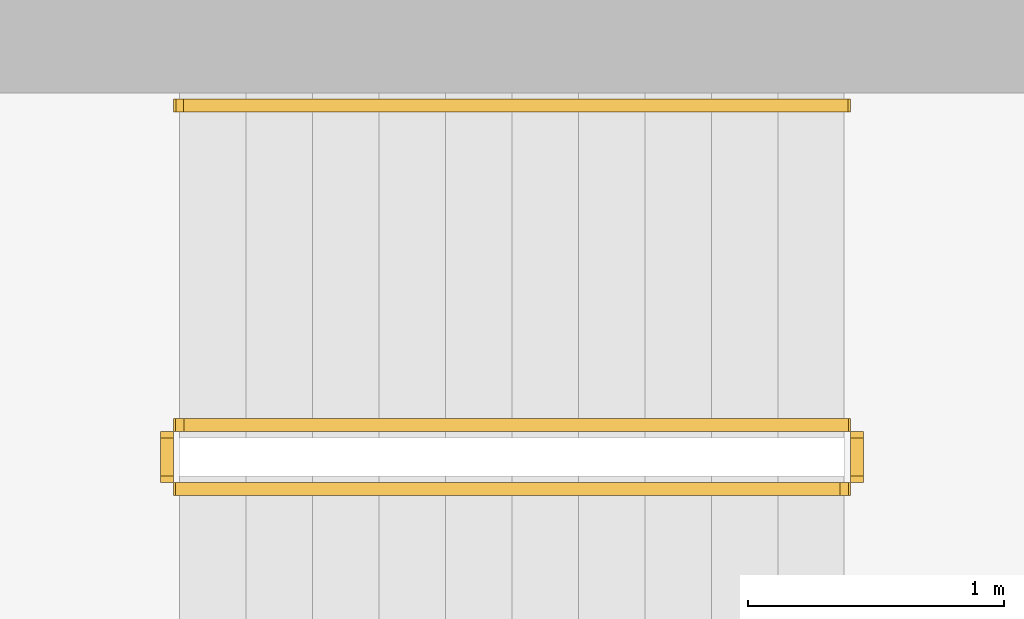
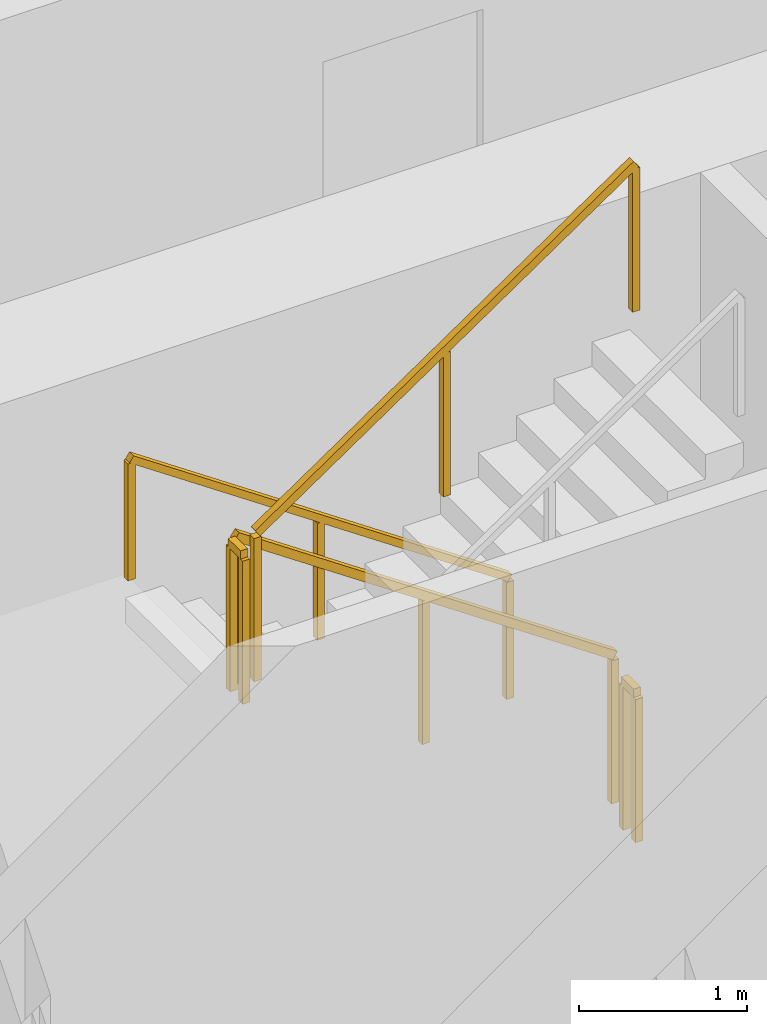
# One storey, part 14 of 15: 5 railings.
"""IFC4 building model written with IfcOpenShell, lengths in metres."""

from ifc_helpers import new_model, si_unit, direction, frame, origin, origin_2d, place, context, subcontext, project, spatial, rectangle, extrude, material, type_object, element, save


model = new_model("IFC4")

# Units and contexts
model_context = context("Model", 3, precision=1e-05, world=origin(), true_north=direction((0.0, 1.0)))
body_context = subcontext(model_context, "Body", "Model", "MODEL_VIEW")
ifc_project = project(units=[si_unit("LENGTHUNIT", "METRE"), si_unit("AREAUNIT", "SQUARE_METRE"), si_unit("VOLUMEUNIT", "CUBIC_METRE"), si_unit("PLANEANGLEUNIT", "RADIAN"), si_unit("MASSUNIT", "GRAM", prefix="KILO")], contexts=[model_context])

# Site, building, storey
site_placement = place(None, origin())
site = spatial("IfcSite", under=ifc_project, at=site_placement, CompositionType="ELEMENT")
building_placement = place(site_placement, origin())
building = spatial("IfcBuilding", under=site, at=building_placement, Name="Khepri Terraces", CompositionType="ELEMENT")
storey_placement = place(building_placement, frame((0.0, 0.0, 118.199951171875)))
storey = spatial("IfcBuildingStorey", under=building, at=storey_placement, Name="L28", CompositionType="ELEMENT", Elevation=118.199951171875)

# Railings
ifc_material = material(Name="Stainless steel 316", Category="steel")
railing_type_1 = type_object("IfcRailingType", Name="RL-CORE-GUARD", PredefinedType="GUARDRAIL", material=ifc_material)
railing_1_placement = place(storey_placement, frame((-0.25, 8.800048828125, 0.17724609375)))
element("IfcRailing", 1, at=railing_1_placement, inside=storey, type_object=railing_type_1, Name="L28 ST-3 stair guard 1", PredefinedType="GUARDRAIL", context=body_context, shape_type="SweptSolid", body=[
    extrude(rectangle(XDim=0.050048828125, YDim=0.06005859375, at=origin_2d()), frame((0.0, 0.0, 1.070068359375), z_axis=(-0.826240473404, 0.0, 0.563317565952), x_axis=(0.0, -1.0, 0.0)), (0.0, 0.0, 1.0), 3.14697265625),
    extrude(rectangle(XDim=0.050048828125, YDim=0.050048828125, at=origin_2d()), origin(), (0.0, 0.0, 1.0), 1.0400390625),
    extrude(rectangle(XDim=0.050048828125, YDim=0.050048828125, at=origin_2d()), frame((-1.300048828125, 0.0, 0.88623046875)), (0.0, 0.0, 1.0), 1.0400390625),
    extrude(rectangle(XDim=0.050048828125, YDim=0.050048828125, at=origin_2d()), frame((-2.60009765625, 0.0, 1.772705078125)), (0.0, 0.0, 1.0), 1.0400390625),
])
railing_2_placement = place(storey_placement, frame((-2.89990234375, 8.75, 1.949951171875)))
element("IfcRailing", 2, at=railing_2_placement, inside=storey, type_object=railing_type_1, Name="L28 ST-3 stair guard 2", PredefinedType="GUARDRAIL", context=body_context, shape_type="SweptSolid", body=[
    extrude(rectangle(XDim=0.050048828125, YDim=0.06005859375, at=origin_2d()), frame((0.0, 0.0, 1.070068359375), z_axis=(0.0, -1.0, 0.0), x_axis=(1.0, 0.0, 0.0)), (0.0, 0.0, 1.0), 0.14990234375),
    extrude(rectangle(XDim=0.050048828125, YDim=0.050048828125, at=origin_2d()), origin(), (0.0, 0.0, 1.0), 1.0400390625),
    extrude(rectangle(XDim=0.050048828125, YDim=0.050048828125, at=origin_2d()), frame((0.0, -0.14990234375, 0.0)), (0.0, 0.0, 1.0), 1.0400390625),
])
railing_3_placement = place(storey_placement, frame((-2.85009765625, 8.550048828125, 2.12744140625)))
element("IfcRailing", 3, at=railing_3_placement, inside=storey, type_object=railing_type_1, Name="L28 ST-3 stair guard 3", PredefinedType="GUARDRAIL", context=body_context, shape_type="SweptSolid", body=[
    extrude(rectangle(XDim=0.050048828125, YDim=0.06005859375, at=origin_2d()), frame((0.0, 0.0, 1.070068359375), z_axis=(0.826240473404, 0.0, 0.563317565952), x_axis=(0.0, 1.0, 0.0)), (0.0, 0.0, 1.0), 3.14697265625),
    extrude(rectangle(XDim=0.050048828125, YDim=0.050048828125, at=origin_2d()), origin(), (0.0, 0.0, 1.0), 1.0400390625),
    extrude(rectangle(XDim=0.050048828125, YDim=0.050048828125, at=origin_2d()), frame((1.300048828125, 0.0, 0.88623046875)), (0.0, 0.0, 1.0), 1.0400390625),
    extrude(rectangle(XDim=0.050048828125, YDim=0.050048828125, at=origin_2d()), frame((2.60009765625, 0.0, 1.772705078125)), (0.0, 0.0, 1.0), 1.0400390625),
])
railing_4_placement = place(storey_placement, frame((-0.199951171875, 8.75, 0.0)))
element("IfcRailing", 4, at=railing_4_placement, inside=storey, type_object=railing_type_1, Name="L28 ST-3 stair guard 4", PredefinedType="GUARDRAIL", context=body_context, shape_type="SweptSolid", body=[
    extrude(rectangle(XDim=0.050048828125, YDim=0.06005859375, at=origin_2d()), frame((0.0, 0.0, 1.070068359375), z_axis=(0.0, -1.0, 0.0), x_axis=(1.0, 0.0, 0.0)), (0.0, 0.0, 1.0), 0.14990234375),
    extrude(rectangle(XDim=0.050048828125, YDim=0.050048828125, at=origin_2d()), origin(), (0.0, 0.0, 1.0), 1.0400390625),
    extrude(rectangle(XDim=0.050048828125, YDim=0.050048828125, at=origin_2d()), frame((0.0, -0.14990234375, 0.0)), (0.0, 0.0, 1.0), 1.0400390625),
])
railing_type_2 = type_object("IfcRailingType", Name="RL-CORE-HANDRAIL", PredefinedType="HANDRAIL", material=ifc_material)
railing_5_placement = place(storey_placement, frame((-0.25, 10.050048828125, 0.17724609375)))
element("IfcRailing", 5, at=railing_5_placement, inside=storey, type_object=railing_type_2, Name="L28 ST-3 stair handrail 1", PredefinedType="HANDRAIL", context=body_context, shape_type="SweptSolid", body=[
    extrude(rectangle(XDim=0.050048828125, YDim=0.050048828125, at=origin_2d()), frame((0.0, 0.0, 0.875), z_axis=(-0.826240473404, 0.0, 0.563317565952), x_axis=(0.0, -1.0, 0.0)), (0.0, 0.0, 1.0), 3.14697265625),
    extrude(rectangle(XDim=0.050048828125, YDim=0.050048828125, at=origin_2d()), origin(), (0.0, 0.0, 1.0), 0.849853515625),
    extrude(rectangle(XDim=0.050048828125, YDim=0.050048828125, at=origin_2d()), frame((-1.300048828125, 0.0, 0.88623046875)), (0.0, 0.0, 1.0), 0.849853515625),
    extrude(rectangle(XDim=0.050048828125, YDim=0.050048828125, at=origin_2d()), frame((-2.60009765625, 0.0, 1.772705078125)), (0.0, 0.0, 1.0), 0.849853515625),
])

save(model, "model.ifc")
